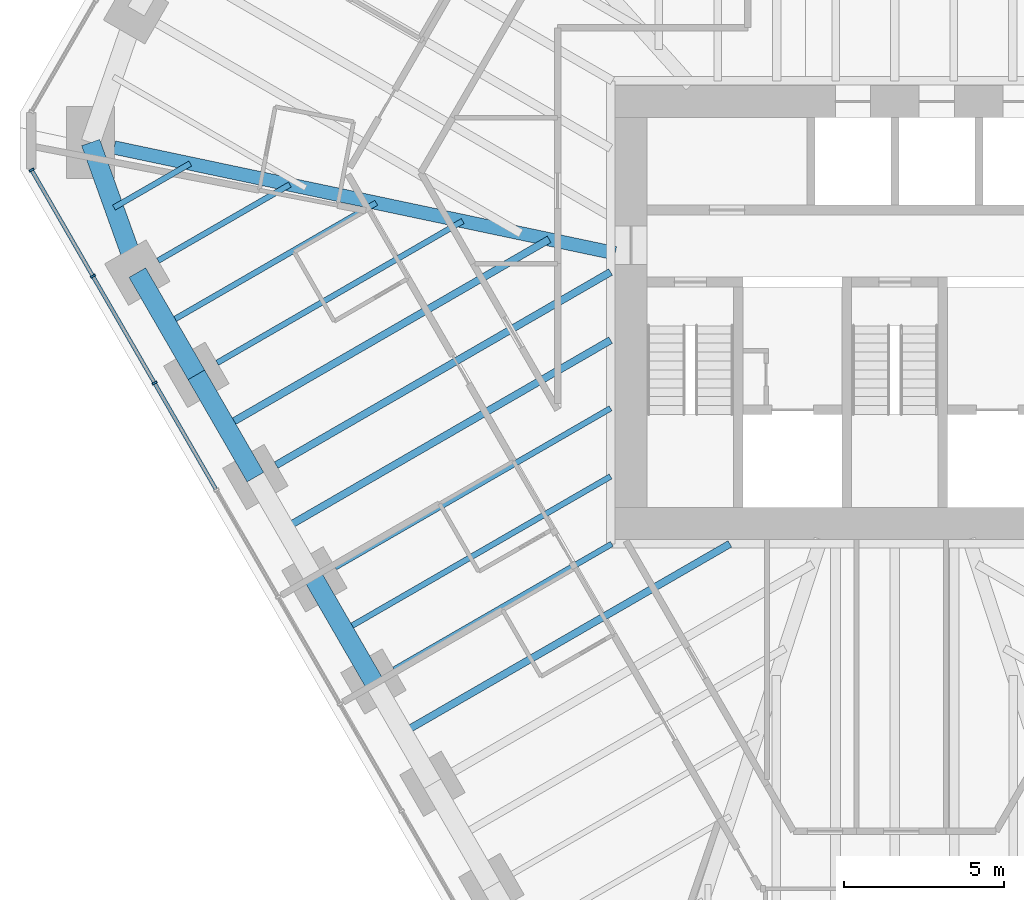
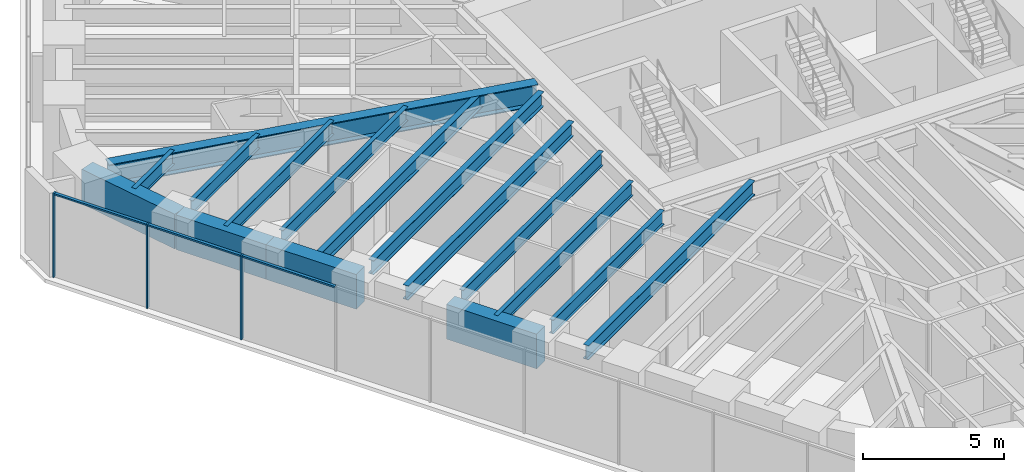
# One storey, part 3 of 16: 16 beams, 6 members, 1 element without a shape of its own.
"""IFC4 building model written with IfcOpenShell, lengths in metres."""

from ifc_helpers import new_model, si_unit, direction, frame, origin, origin_2d, place, context, subcontext, project, spatial, rectangle, i_section, extrude, material, material_profile, profile_set, type_object, element, aggregate, save


model = new_model("IFC4")

# Units and contexts
model_context = context("Model", 3, precision=1e-05, world=origin(), true_north=direction((0.0, 1.0)))
body_context = subcontext(model_context, "Body", "Model", "MODEL_VIEW")
ifc_project = project(units=[si_unit("LENGTHUNIT", "METRE"), si_unit("AREAUNIT", "SQUARE_METRE"), si_unit("VOLUMEUNIT", "CUBIC_METRE"), si_unit("PLANEANGLEUNIT", "RADIAN"), si_unit("MASSUNIT", "GRAM", prefix="KILO")], contexts=[model_context])

# Site, building, storey
site_placement = place(None, origin())
site = spatial("IfcSite", under=ifc_project, at=site_placement, CompositionType="ELEMENT")
building_placement = place(site_placement, origin())
building = spatial("IfcBuilding", under=site, at=building_placement, Name="Sandreach Pilgrim Tower", CompositionType="ELEMENT")
storey_placement = place(building_placement, frame((0.0, 0.0, 187.0)))
storey = spatial("IfcBuildingStorey", under=building, at=storey_placement, Name="L46", CompositionType="ELEMENT", Elevation=187.0)

# Curtain wall, members
ifc_material_1 = material(Name="Aluminium framed curtain wall", Category="aluminium")
curtain_wall_type = type_object("IfcCurtainWallType", Name="Upper hotel tower curtain wall", PredefinedType="NOTDEFINED", material=ifc_material_1)
curtain_wall_placement = place(storey_placement, origin())
curtain_wall = element("IfcCurtainWall", 1, at=curtain_wall_placement, inside=storey, type_object=curtain_wall_type, Name="CW-3 L46 SW", PredefinedType="NOTDEFINED")
ifc_material_2 = material(Name="Aluminium extrusion", Category="aluminium")
ifc_material_profile_1 = material_profile(ifc_material_2, rectangle(XDim=0.06494140625, YDim=0.159912109375, at=origin_2d()), Name="CW-3M 65X160")
ifc_profile_set_1 = profile_set([ifc_material_profile_1], Name="Aluminium extrusion")
member_type_1 = type_object("IfcMemberType", Name="CW-3 mullion", PredefinedType="MULLION", material=ifc_profile_set_1)
member_1_placement = place(storey_placement, frame((-23.15576171875, -2.21337890625, 0.0), z_axis=(0.0, 0.0, 1.0), x_axis=(-0.5, 0.866025403784, 0.0)))
member_1 = element("IfcMember", 2, at=member_1_placement, type_object=member_type_1, Name="CW-3 mullion 8", PredefinedType="MULLION", context=body_context, shape_type="SweptSolid", body=[
    extrude(rectangle(XDim=0.06494140625, YDim=0.159912109375, at=origin_2d()), origin(), (0.0, 0.0, 1.0), 3.639892578125),
])
member_2_placement = place(storey_placement, frame((-25.087890625, 1.13330078125, 0.0), z_axis=(0.0, 0.0, 1.0), x_axis=(-0.5, 0.866025403784, 0.0)))
member_2 = element("IfcMember", 3, at=member_2_placement, type_object=member_type_1, Name="CW-3 mullion 9", PredefinedType="MULLION", context=body_context, shape_type="SweptSolid", body=[
    extrude(rectangle(XDim=0.06494140625, YDim=0.159912109375, at=origin_2d()), origin(), (0.0, 0.0, 1.0), 3.639892578125),
])
member_3_placement = place(storey_placement, frame((-27.00390625, 4.451904296875, 0.0), z_axis=(0.0, 0.0, 1.0), x_axis=(-0.5, 0.866025403784, 0.0)))
member_3 = element("IfcMember", 4, at=member_3_placement, type_object=member_type_1, Name="CW-3 mullion 10", PredefinedType="MULLION", context=body_context, shape_type="SweptSolid", body=[
    extrude(rectangle(XDim=0.06494140625, YDim=0.159912109375, at=origin_2d()), origin(), (0.0, 0.0, 1.0), 3.639892578125),
])
ifc_material_3 = material(Name="Aluminium extrusion", Category="aluminium")
ifc_material_profile_2 = material_profile(ifc_material_3, rectangle(XDim=0.1201171875, YDim=0.070068359375, at=origin_2d()), Name="CW-3T 120X70")
ifc_profile_set_2 = profile_set([ifc_material_profile_2], Name="Aluminium extrusion")
member_type_2 = type_object("IfcMemberType", Name="CW-3 transom", PredefinedType="USERDEFINED", material=ifc_profile_set_2)
member_4_placement = place(storey_placement, frame((-21.23974609375, -5.531982421875, 3.60498046875), z_axis=(-0.499974606132, 0.866040064445, 0.0), x_axis=(-0.866040064445, -0.499974606132, 0.0)))
member_4 = element("IfcMember", 5, at=member_4_placement, type_object=member_type_2, Name="CW-3 head transom 7", ObjectType="TRANSOM", PredefinedType="USERDEFINED", context=body_context, shape_type="SweptSolid", body=[
    extrude(rectangle(XDim=0.1201171875, YDim=0.070068359375, at=origin_2d()), origin(), (0.0, 0.0, 1.0), 3.799560546875),
])
member_5_placement = place(storey_placement, frame((-23.171875, -2.185302734375, 3.60498046875), z_axis=(-0.500022797313, 0.86601224135, 0.0), x_axis=(-0.86601224135, -0.500022797313, 0.0)))
member_5 = element("IfcMember", 6, at=member_5_placement, type_object=member_type_2, Name="CW-3 head transom 8", ObjectType="TRANSOM", PredefinedType="USERDEFINED", context=body_context, shape_type="SweptSolid", body=[
    extrude(rectangle(XDim=0.1201171875, YDim=0.070068359375, at=origin_2d()), origin(), (0.0, 0.0, 1.0), 3.799560546875),
])
member_6_placement = place(storey_placement, frame((-25.104248046875, 1.161376953125, 3.60498046875), z_axis=(-0.499944992379, 0.86605716012, 0.0), x_axis=(-0.86605716012, -0.499944992379, 0.0)))
member_6 = element("IfcMember", 7, at=member_6_placement, type_object=member_type_2, Name="CW-3 head transom 9", ObjectType="TRANSOM", PredefinedType="USERDEFINED", context=body_context, shape_type="SweptSolid", body=[
    extrude(rectangle(XDim=0.1201171875, YDim=0.070068359375, at=origin_2d()), origin(), (0.0, 0.0, 1.0), 3.76708984375),
])
aggregate(curtain_wall, [member_1, member_2, member_3, member_4, member_5, member_6])

# Beams
ifc_material_4 = material(Name="Steel ASTM A992 Grade 50", Category="steel")
ifc_material_profile_3 = material_profile(ifc_material_4, i_section(OverallWidth=0.421630859375, OverallDepth=0.937255859375, WebThickness=0.0224609375, FlangeThickness=0.039794921875, at=origin_2d()), Name="W36X282")
ifc_profile_set_3 = profile_set([ifc_material_profile_3], Name="Steel ASTM A992 Grade 50")
beam_type_1 = type_object("IfcBeamType", Name="Corner girder W36X282", PredefinedType="BEAM", material=ifc_profile_set_3)
beam_1_placement = place(storey_placement, frame((-24.422607421875, 5.156494140625, 3.17138671875), z_axis=(0.978428978804, -0.206583478132, 0.0), x_axis=(0.206583478132, 0.978428978804, 0.0)))
element("IfcBeam", 8, at=beam_1_placement, inside=storey, type_object=beam_type_1, Name="BM L46 CG35", PredefinedType="BEAM", context=body_context, shape_type="SweptSolid", body=[
    extrude(i_section(OverallWidth=0.421630859375, OverallDepth=0.937255859375, WebThickness=0.0224609375, FlangeThickness=0.039794921875, at=origin_2d()), origin(), (0.0, 0.0, 1.0), 16.01806640625),
])
ifc_material_5 = material(Name="Steel ASTM A992 Grade 50", Category="steel")
ifc_material_profile_4 = material_profile(ifc_material_5, i_section(OverallWidth=0.1787109375, OverallDepth=0.60205078125, WebThickness=0.010986328125, FlangeThickness=0.014892578125, at=origin_2d()), Name="W24X62")
ifc_profile_set_4 = profile_set([ifc_material_profile_4], Name="Steel ASTM A992 Grade 50")
beam_type_2 = type_object("IfcBeamType", Name="Floor beam W24X62", PredefinedType="BEAM", material=ifc_profile_set_4)
beam_2_placement = place(storey_placement, frame((-15.661376953125, -11.173828125, 3.339111328125), z_axis=(0.866038711524, 0.49997694961, 0.0), x_axis=(-0.49997694961, 0.866038711524, 0.0)))
element("IfcBeam", 9, at=beam_2_placement, inside=storey, type_object=beam_type_2, Name="BM L46 F30", PredefinedType="BEAM", context=body_context, shape_type="SweptSolid", body=[
    extrude(i_section(OverallWidth=0.1787109375, OverallDepth=0.60205078125, WebThickness=0.010986328125, FlangeThickness=0.014892578125, at=origin_2d()), origin(), (0.0, 0.0, 1.0), 7.861083984375),
])
beam_3_placement = place(storey_placement, frame((-17.507568359375, -7.97607421875, 3.339111328125), z_axis=(0.866027815265, 0.499995823171, 0.0), x_axis=(-0.499995823171, 0.866027815265, 0.0)))
element("IfcBeam", 10, at=beam_3_placement, inside=storey, type_object=beam_type_2, Name="BM L46 F31", PredefinedType="BEAM", context=body_context, shape_type="SweptSolid", body=[
    extrude(i_section(OverallWidth=0.1787109375, OverallDepth=0.60205078125, WebThickness=0.010986328125, FlangeThickness=0.014892578125, at=origin_2d()), origin(), (0.0, 0.0, 1.0), 9.94677734375),
])
beam_4_placement = place(storey_placement, frame((-21.2001953125, -1.58056640625, 3.339111328125), z_axis=(0.866027448082, 0.499996459156, 0.0), x_axis=(-0.499996459156, 0.866027448082, 0.0)))
element("IfcBeam", 11, at=beam_4_placement, inside=storey, type_object=beam_type_2, Name="BM L46 F33", PredefinedType="BEAM", context=body_context, shape_type="SweptSolid", body=[
    extrude(i_section(OverallWidth=0.1787109375, OverallDepth=0.60205078125, WebThickness=0.010986328125, FlangeThickness=0.014892578125, at=origin_2d()), origin(), (0.0, 0.0, 1.0), 8.86962890625),
])
beam_5_placement = place(storey_placement, frame((-23.04638671875, 1.6171875, 3.339111328125), z_axis=(0.86603347311, 0.499986023258, 0.0), x_axis=(-0.499986023258, 0.86603347311, 0.0)))
element("IfcBeam", 12, at=beam_5_placement, inside=storey, type_object=beam_type_2, Name="BM L46 F34", PredefinedType="BEAM", context=body_context, shape_type="SweptSolid", body=[
    extrude(i_section(OverallWidth=0.1787109375, OverallDepth=0.60205078125, WebThickness=0.010986328125, FlangeThickness=0.014892578125, at=origin_2d()), origin(), (0.0, 0.0, 1.0), 4.757568359375),
])
beam_6_placement = place(storey_placement, frame((-17.23388671875, -9.949951171875, 3.339111328125), z_axis=(0.866025593094, 0.499999672107, 0.0), x_axis=(-0.499999672107, 0.866025593094, 0.0)))
element("IfcBeam", 13, at=beam_6_placement, inside=storey, type_object=beam_type_2, Name="BM L46 FM30", PredefinedType="BEAM", context=body_context, shape_type="SweptSolid", body=[
    extrude(i_section(OverallWidth=0.1787109375, OverallDepth=0.60205078125, WebThickness=0.010986328125, FlangeThickness=0.014892578125, at=origin_2d()), origin(), (0.0, 0.0, 1.0), 9.630859375),
])
beam_7_placement = place(storey_placement, frame((-22.772705078125, -0.356689453125, 3.339111328125), z_axis=(0.866029704776, 0.49999255039, 0.0), x_axis=(-0.49999255039, 0.866029704776, 0.0)))
element("IfcBeam", 14, at=beam_7_placement, inside=storey, type_object=beam_type_2, Name="BM L46 FM33", PredefinedType="BEAM", context=body_context, shape_type="SweptSolid", body=[
    extrude(i_section(OverallWidth=0.1787109375, OverallDepth=0.60205078125, WebThickness=0.010986328125, FlangeThickness=0.014892578125, at=origin_2d()), origin(), (0.0, 0.0, 1.0), 7.5634765625),
])
beam_8_placement = place(storey_placement, frame((-24.42626953125, 3.27685546875, 3.339111328125), z_axis=(0.866046803606, 0.49996293259, 0.0), x_axis=(-0.49996293259, 0.866046803606, 0.0)))
element("IfcBeam", 15, at=beam_8_placement, inside=storey, type_object=beam_type_2, Name="BM L46 FM34", PredefinedType="BEAM", context=body_context, shape_type="SweptSolid", body=[
    extrude(i_section(OverallWidth=0.1787109375, OverallDepth=0.60205078125, WebThickness=0.010986328125, FlangeThickness=0.014892578125, at=origin_2d()), origin(), (0.0, 0.0, 1.0), 2.753662109375),
])
ifc_material_6 = material(Name="Steel ASTM A992 Grade 50", Category="steel")
ifc_material_profile_5 = material_profile(ifc_material_6, i_section(OverallWidth=0.23046875, OverallDepth=0.6171875, WebThickness=0.01318359375, FlangeThickness=0.022216796875, at=origin_2d()), Name="W24X94")
ifc_profile_set_5 = profile_set([ifc_material_profile_5], Name="Steel ASTM A992 Grade 50")
beam_type_3 = type_object("IfcBeamType", Name="Floor beam W24X94", PredefinedType="BEAM", material=ifc_profile_set_5)
beam_9_placement = place(storey_placement, frame((-19.353759765625, -4.7783203125, 3.331298828125), z_axis=(0.866026713419, 0.49999773164, 0.0), x_axis=(-0.49999773164, 0.866026713419, 0.0)))
element("IfcBeam", 16, at=beam_9_placement, inside=storey, type_object=beam_type_3, Name="BM L46 F32", PredefinedType="BEAM", context=body_context, shape_type="SweptSolid", body=[
    extrude(i_section(OverallWidth=0.23046875, OverallDepth=0.6171875, WebThickness=0.01318359375, FlangeThickness=0.022216796875, at=origin_2d()), origin(), (0.0, 0.0, 1.0), 12.07861328125),
])
beam_10_placement = place(storey_placement, frame((-15.3876953125, -13.14794921875, 3.331298828125), z_axis=(0.866022050506, 0.500005808004, 0.0), x_axis=(-0.500005808004, 0.866022050506, 0.0)))
element("IfcBeam", 17, at=beam_10_placement, inside=storey, type_object=beam_type_3, Name="BM L46 FM29", PredefinedType="BEAM", context=body_context, shape_type="SweptSolid", body=[
    extrude(i_section(OverallWidth=0.23046875, OverallDepth=0.6171875, WebThickness=0.01318359375, FlangeThickness=0.022216796875, at=origin_2d()), origin(), (0.0, 0.0, 1.0), 11.808837890625),
])
beam_11_placement = place(storey_placement, frame((-19.080322265625, -6.752197265625, 3.331298828125), z_axis=(0.866030053141, 0.499991946992, 0.0), x_axis=(-0.499991946992, 0.866030053141, 0.0)))
element("IfcBeam", 18, at=beam_11_placement, inside=storey, type_object=beam_type_3, Name="BM L46 FM31", PredefinedType="BEAM", context=body_context, shape_type="SweptSolid", body=[
    extrude(i_section(OverallWidth=0.23046875, OverallDepth=0.6171875, WebThickness=0.01318359375, FlangeThickness=0.022216796875, at=origin_2d()), origin(), (0.0, 0.0, 1.0), 11.762939453125),
])
beam_12_placement = place(storey_placement, frame((-20.926513671875, -3.554443359375, 3.331298828125), z_axis=(0.866026454974, 0.499998179282, 0.0), x_axis=(-0.499998179282, 0.866026454974, 0.0)))
element("IfcBeam", 19, at=beam_12_placement, inside=storey, type_object=beam_type_3, Name="BM L46 FM32", PredefinedType="BEAM", context=body_context, shape_type="SweptSolid", body=[
    extrude(i_section(OverallWidth=0.23046875, OverallDepth=0.6171875, WebThickness=0.01318359375, FlangeThickness=0.022216796875, at=origin_2d()), origin(), (0.0, 0.0, 1.0), 11.67578125),
])
ifc_material_7 = material(Name="Concrete 10000 psi", Category="concrete")
ifc_material_profile_6 = material_profile(ifc_material_7, rectangle(XDim=0.60009765625, YDim=1.5, at=origin_2d()), Name="RC600X1500")
ifc_profile_set_6 = profile_set([ifc_material_profile_6], Name="Concrete 10000 psi")
beam_type_4 = type_object("IfcBeamType", Name="Spandrel beam RC600X1500", PredefinedType="SPANDREL", material=ifc_profile_set_6)
beam_13_placement = place(storey_placement, frame((-16.310791015625, -11.548828125, 2.889892578125), z_axis=(-0.500042951019, 0.866000604582, 0.0), x_axis=(-0.866000604582, -0.500042951019, 0.0)))
element("IfcBeam", 20, at=beam_13_placement, inside=storey, type_object=beam_type_4, Name="BM L46 SP30", PredefinedType="SPANDREL", context=body_context, shape_type="SweptSolid", body=[
    extrude(rectangle(XDim=0.60009765625, YDim=1.5, at=origin_2d()), origin(), (0.0, 0.0, 1.0), 3.692626953125),
])
for number, where, z_axis, x_axis, name in (
    (21, (-20.00341796875, -5.1533203125, 2.889892578125), (-0.499993363642, 0.866029235253, 0.0), (-0.866029235253, -0.499993363642, 0.0), "BM L46 SP32"),
    (22, (-21.849609375, -1.95556640625, 2.889892578125), (-0.499993363642, 0.866029235253, 0.0), (-0.866029235253, -0.499993363642, 0.0), "BM L46 SP33"),
):
    element("IfcBeam", number, at=place(storey_placement, frame(where, z_axis=z_axis, x_axis=x_axis)), inside=storey, type_object=beam_type_4, Name=name, PredefinedType="SPANDREL", context=body_context, shape_type="SweptSolid", body=[
        extrude(rectangle(XDim=0.60009765625, YDim=1.5, at=origin_2d()), origin(), (0.0, 0.0, 1.0), 3.6923828125),
    ])
beam_14_placement = place(storey_placement, frame((-23.69580078125, 1.2421875, 2.889892578125), z_axis=(-0.337863470932, 0.941195131208, 0.0), x_axis=(-0.941195131208, -0.337863470932, 0.0)))
element("IfcBeam", 23, at=beam_14_placement, inside=storey, type_object=beam_type_4, Name="BM L46 SP34", PredefinedType="SPANDREL", context=body_context, shape_type="SweptSolid", body=[
    extrude(rectangle(XDim=0.60009765625, YDim=1.5, at=origin_2d()), origin(), (0.0, 0.0, 1.0), 4.3232421875),
])

save(model, "model.ifc")
